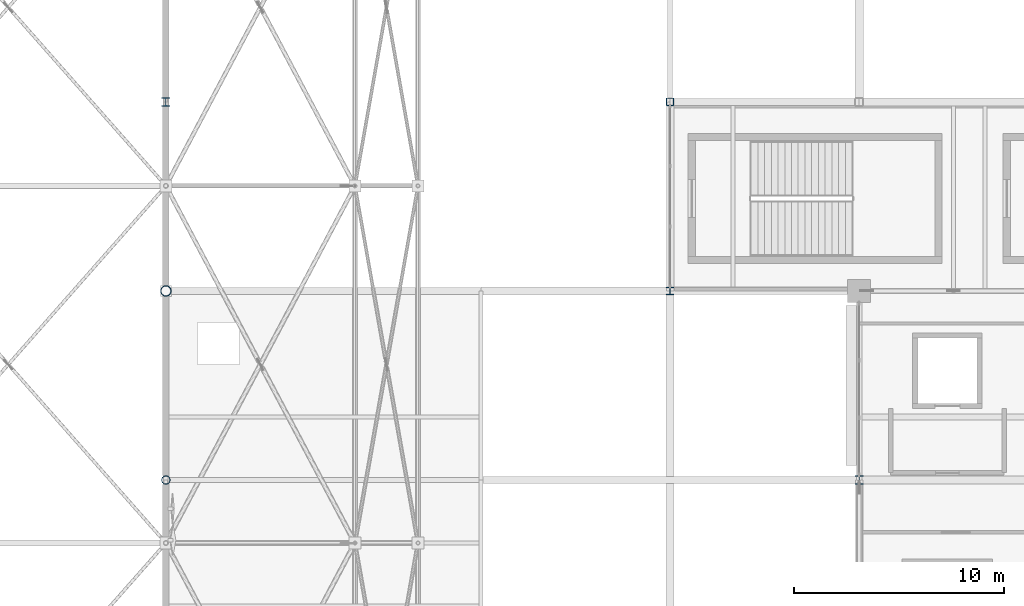
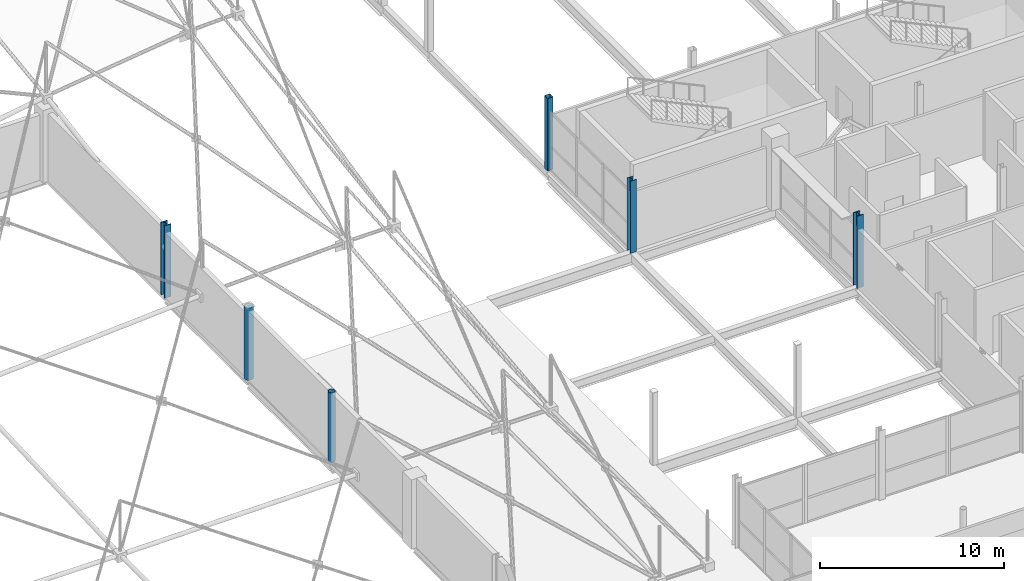
# One storey, part 14 of 224: 6 columns.
"""IFC4 building model written with IfcOpenShell, lengths in metres."""

from ifc_helpers import new_model, si_unit, direction, frame, origin, origin_2d, place, context, subcontext, project, spatial, hollow_rectangle, hollow_circle, i_section, extrude, material, material_profile, profile_set, type_object, element, save


model = new_model("IFC4")

# Units and contexts
model_context = context("Model", 3, precision=1e-05, world=origin(), true_north=direction((0.0, 1.0)))
body_context = subcontext(model_context, "Body", "Model", "MODEL_VIEW")
ifc_project = project(units=[si_unit("LENGTHUNIT", "METRE"), si_unit("AREAUNIT", "SQUARE_METRE"), si_unit("VOLUMEUNIT", "CUBIC_METRE"), si_unit("PLANEANGLEUNIT", "RADIAN"), si_unit("MASSUNIT", "GRAM", prefix="KILO")], contexts=[model_context])

# Site, building, storey
site_placement = place(None, origin())
site = spatial("IfcSite", under=ifc_project, at=site_placement, CompositionType="ELEMENT")
building_placement = place(site_placement, origin())
building = spatial("IfcBuilding", under=site, at=building_placement, Name="Qamarlyn Nura Convention Centre", CompositionType="ELEMENT")
storey_placement = place(building_placement, frame((0.0, 0.0, 10.800048828125)))
storey = spatial("IfcBuildingStorey", under=building, at=storey_placement, Name="L02", CompositionType="ELEMENT", Elevation=10.800048828125)

# Columns
ifc_material_1 = material(Name="Pearl-white PVDF steel ASTM A500 Grade C", Category="steel")
ifc_material_profile_1 = material_profile(ifc_material_1, hollow_circle(Radius=0.25390625, WallThickness=0.02001953125, at=origin_2d()), Name="CHS508X20")
ifc_profile_set_1 = profile_set([ifc_material_profile_1], Name="Pearl-white PVDF steel ASTM A500 Grade C")
column_type_1 = type_object("IfcColumnType", Name="COL-HALL-1", PredefinedType="COLUMN", material=ifc_profile_set_1)
column_1_placement = place(storey_placement, frame((120.0, 81.0, 0.0), z_axis=(0.0, 0.0, 1.0), x_axis=(1.0, 0.0, 0.0)))
element("IfcColumn", 1, at=column_1_placement, inside=storey, type_object=column_type_1, Name="L02 column 9/K", PredefinedType="COLUMN", context=body_context, shape_type="SweptSolid", body=[
    extrude(hollow_circle(Radius=0.25390625, WallThickness=0.02001953125, at=origin_2d()), origin(), (0.0, 0.0, 1.0), 4.800048828125),
])
ifc_material_2 = material(Name="Steel ASTM A500 Grade C", Category="steel")
ifc_material_profile_2 = material_profile(ifc_material_2, hollow_rectangle(XDim=0.35009765625, YDim=0.35009765625, WallThickness=0.012451171875, InnerFilletRadius=0.012451171875, OuterFilletRadius=0.02490234375, at=origin_2d()), Name="HSS350X350X12.5")
ifc_profile_set_2 = profile_set([ifc_material_profile_2], Name="Steel ASTM A500 Grade C")
column_type_2 = type_object("IfcColumnType", Name="COL-HSS-2", PredefinedType="COLUMN", material=ifc_profile_set_2)
column_2_placement = place(storey_placement, frame((144.0, 90.0, 0.0), z_axis=(0.0, 0.0, 1.0), x_axis=(1.0, 0.0, 0.0)))
element("IfcColumn", 2, at=column_2_placement, inside=storey, type_object=column_type_2, Name="L02 column 12/L", PredefinedType="COLUMN", context=body_context, shape_type="SweptSolid", body=[
    extrude(hollow_rectangle(XDim=0.35009765625, YDim=0.35009765625, WallThickness=0.012451171875, InnerFilletRadius=0.012451171875, OuterFilletRadius=0.02490234375, at=origin_2d()), origin(), (0.0, 0.0, 1.0), 4.800048828125),
])
ifc_material_3 = material(Name="Steel ASTM A992", Category="steel")
ifc_material_profile_3 = material_profile(ifc_material_3, i_section(OverallWidth=0.408935546875, OverallDepth=0.425048828125, WebThickness=0.030517578125, FlangeThickness=0.049072265625, FilletRadius=0.02001953125, at=origin_2d()), Name="W360X421")
ifc_profile_set_3 = profile_set([ifc_material_profile_3], Name="Steel ASTM A992")
column_type_3 = type_object("IfcColumnType", Name="COL-MEGA-1", PredefinedType="COLUMN", material=ifc_profile_set_3)
for number, where, z_axis, x_axis, name in (
    (3, (120.0, 90.0, 0.0), (0.0, 0.0, 1.0), (1.0, 0.0, 0.0), "L02 column 9/L"),
    (4, (153.0, 72.0, 0.0), (0.0, 0.0, 1.0), (1.0, 0.0, 0.0), "L02 column 13/J"),
):
    element("IfcColumn", number, at=place(storey_placement, frame(where, z_axis=z_axis, x_axis=x_axis)), inside=storey, type_object=column_type_3, Name=name, PredefinedType="COLUMN", context=body_context, shape_type="SweptSolid", body=[
        extrude(i_section(OverallWidth=0.408935546875, OverallDepth=0.425048828125, WebThickness=0.030517578125, FlangeThickness=0.049072265625, FilletRadius=0.02001953125, at=origin_2d()), origin(), (0.0, 0.0, 1.0), 4.800048828125),
    ])
ifc_material_profile_4 = material_profile(ifc_material_1, hollow_circle(Radius=0.203125, WallThickness=0.01611328125, at=origin_2d()), Name="CHS406.4X16")
ifc_profile_set_4 = profile_set([ifc_material_profile_4], Name="Pearl-white PVDF steel ASTM A500 Grade C")
column_type_4 = type_object("IfcColumnType", Name="COL-TUBE-1", PredefinedType="COLUMN", material=ifc_profile_set_4)
column_3_placement = place(storey_placement, frame((120.0, 72.0, 0.0), z_axis=(0.0, 0.0, 1.0), x_axis=(1.0, 0.0, 0.0)))
element("IfcColumn", 5, at=column_3_placement, inside=storey, type_object=column_type_4, Name="L02 column 9/J", PredefinedType="COLUMN", context=body_context, shape_type="SweptSolid", body=[
    extrude(hollow_circle(Radius=0.203125, WallThickness=0.01611328125, at=origin_2d()), origin(), (0.0, 0.0, 1.0), 4.58984375),
])
ifc_material_profile_5 = material_profile(ifc_material_3, i_section(OverallWidth=0.3740234375, OverallDepth=0.3720703125, WebThickness=0.016357421875, FlangeThickness=0.026123046875, FilletRadius=0.01611328125, at=origin_2d()), Name="W360X196")
ifc_profile_set_5 = profile_set([ifc_material_profile_5], Name="Steel ASTM A992")
column_type_5 = type_object("IfcColumnType", Name="COL-WING-2", PredefinedType="COLUMN", material=ifc_profile_set_5)
column_4_placement = place(storey_placement, frame((144.0, 81.0, 0.0), z_axis=(0.0, 0.0, 1.0), x_axis=(1.0, 0.0, 0.0)))
element("IfcColumn", 6, at=column_4_placement, inside=storey, type_object=column_type_5, Name="L02 column 12/K", PredefinedType="COLUMN", context=body_context, shape_type="SweptSolid", body=[
    extrude(i_section(OverallWidth=0.3740234375, OverallDepth=0.3720703125, WebThickness=0.016357421875, FlangeThickness=0.026123046875, FilletRadius=0.01611328125, at=origin_2d()), origin(), (0.0, 0.0, 1.0), 4.800048828125),
])

save(model, "model.ifc")
